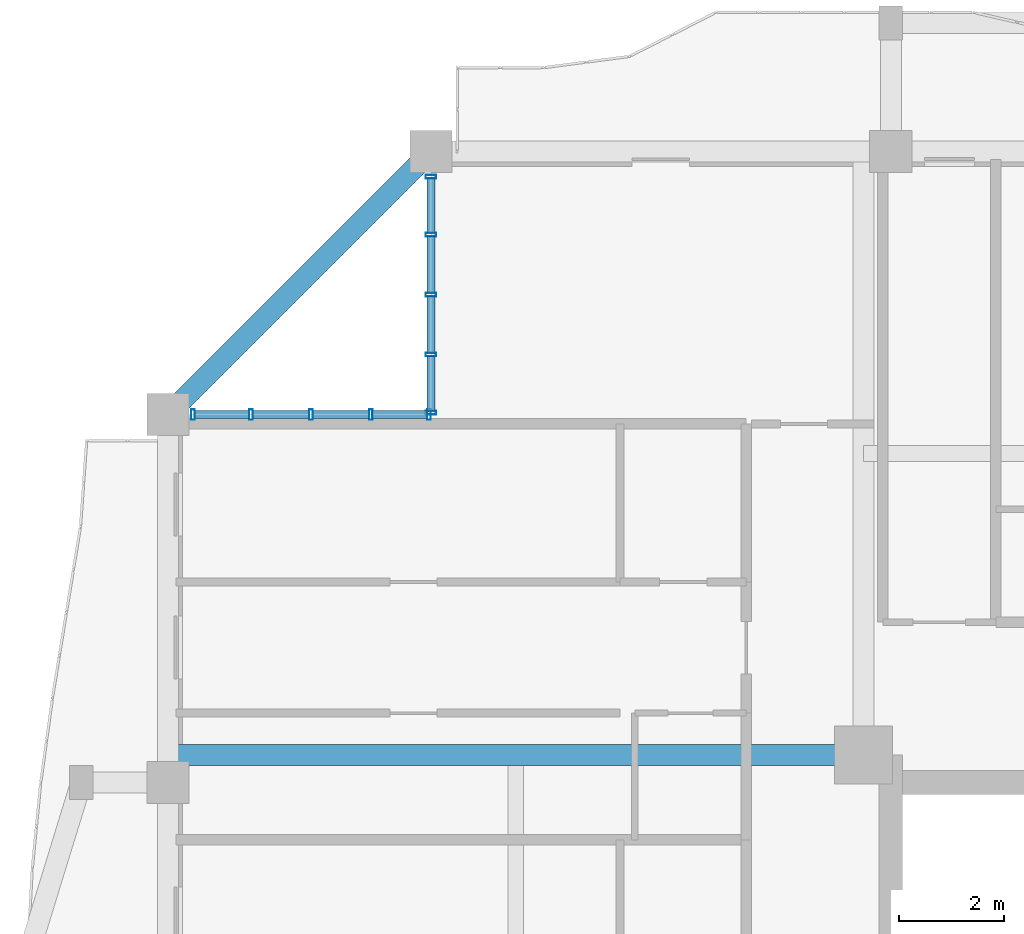
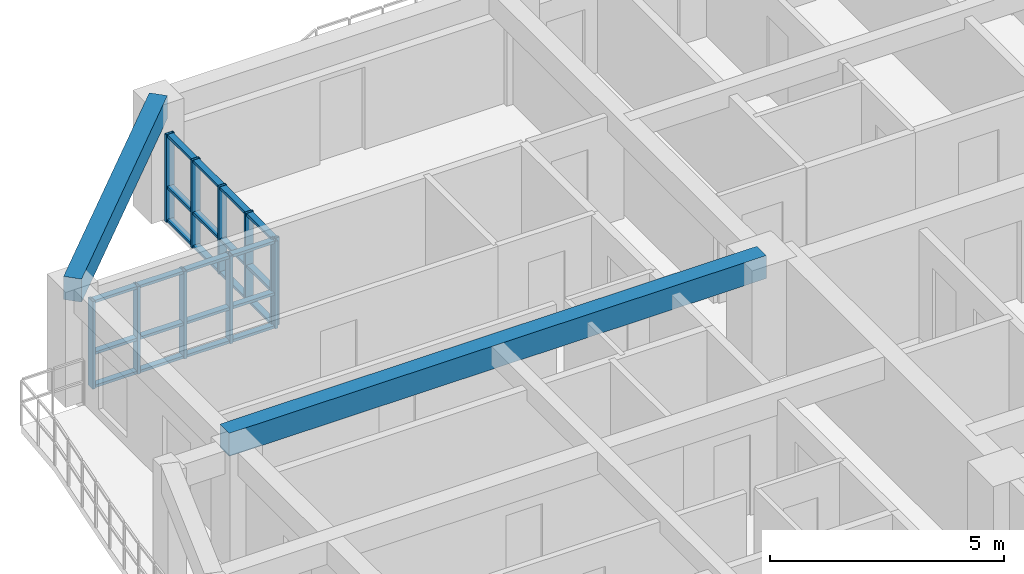
# One storey, part 6 of 21: 34 members, 2 beams, 2 elements without a shape of their own.
"""IFC4 building model written with IfcOpenShell, lengths in metres."""

import ifcopenshell
import ifcopenshell.guid

model = None  # the IFC model being written
_history = None  # IfcOwnerHistory: only IFC2X3 demands one
_inside = {}  # id of a spatial element -> (the spatial element, [elements in it])
_under = {}  # id of a project, library or spatial element -> (it, [spatial elements below it])
_declared = {}  # id of a project -> (the project, [libraries it declares])
_typed = {}  # id of a type object -> (the type object, [elements of that type])
_made_of = {}  # id of a material, layer set ... -> (it, [elements and type objects made of it])


def new_model(schema):
    """Start an empty IFC model of exactly this schema.

    Asked for "IFC4X3", IfcOpenShell would pick the latest addendum, in which some entities
    have other attributes; the version numbers below select the first issue.
    IFC2X3 requires an IfcOwnerHistory on every rooted entity: one is made here for all.
    """
    global model, _history
    if schema == "IFC4X3":
        model = ifcopenshell.file(schema_version=(4, 3, 0, 0))
    else:
        model = ifcopenshell.file(schema=schema)
    _inside.clear()
    _under.clear()
    _declared.clear()
    _typed.clear()
    _made_of.clear()
    _history = None
    if model.schema == "IFC2X3":
        org = make("IfcOrganization", Name="unknown")
        user = make(
            "IfcPersonAndOrganization",
            ThePerson=make("IfcPerson", FamilyName="unknown"),
            TheOrganization=org,
        )
        app = make(
            "IfcApplication",
            ApplicationDeveloper=org,
            Version="unknown",
            ApplicationFullName="unknown",
            ApplicationIdentifier="unknown",
        )
        _history = make(
            "IfcOwnerHistory",
            OwningUser=user,
            OwningApplication=app,
            ChangeAction="ADDED",
            CreationDate=0,
        )
    return model


def make(cls, **values):
    """One entity of the class cls with the attributes given. An attribute that is None is left unset."""
    return model.create_entity(
        cls, **{name: value for name, value in values.items() if value is not None}
    )


def rooted(cls, **values):
    """An entity with a GlobalId (a new one), such as an element, a storey or a relation."""
    return make(cls, GlobalId=ifcopenshell.guid.new(), OwnerHistory=_history, **values)


def si_unit(unit_type, name, prefix=None):
    """IfcSIUnit, for example si_unit("LENGTHUNIT", "METRE", prefix="MILLI")."""
    return make("IfcSIUnit", UnitType=unit_type, Prefix=prefix, Name=name)


def assignment(units):
    """IfcUnitAssignment: the units of a project."""
    return None if units is None else make("IfcUnitAssignment", Units=units)


def point(xyz):
    """IfcCartesianPoint."""
    return None if xyz is None else make("IfcCartesianPoint", Coordinates=xyz)


def direction(xyz):
    """IfcDirection."""
    return None if xyz is None else make("IfcDirection", DirectionRatios=xyz)


def frame(location, z_axis=None, x_axis=None):
    """IfcAxis2Placement3D, a coordinate frame: its origin and axes. An axis left out is left unset."""
    return make(
        "IfcAxis2Placement3D",
        Location=point(location),
        Axis=direction(z_axis),
        RefDirection=direction(x_axis),
    )


def frame_2d(location, x_axis=None):
    """IfcAxis2Placement2D, a coordinate frame in the plane: its origin and x axis."""
    return make(
        "IfcAxis2Placement2D", Location=point(location), RefDirection=direction(x_axis)
    )


def origin():
    """The frame at (0, 0, 0) with its axes left unset."""
    return frame((0.0, 0.0, 0.0))


def origin_2d():
    """The frame at (0, 0) in the plane with its x axis left unset."""
    return frame_2d((0.0, 0.0))


def place(relative_to, where):
    """IfcLocalPlacement: puts the frame where relative to a parent placement (None: the world)."""
    return make(
        "IfcLocalPlacement", PlacementRelTo=relative_to, RelativePlacement=where
    )


def context(
    kind, dimensions, precision=None, world=None, true_north=None, identifier=None
):
    """IfcGeometricRepresentationContext, for example the 3D "Model" context."""
    return make(
        "IfcGeometricRepresentationContext",
        ContextIdentifier=identifier,
        ContextType=kind,
        CoordinateSpaceDimension=dimensions,
        Precision=precision,
        WorldCoordinateSystem=world,
        TrueNorth=true_north,
    )


def subcontext(parent, identifier, kind, view, scale=None):
    """IfcGeometricRepresentationSubContext, for example "Body" below "Model"."""
    return make(
        "IfcGeometricRepresentationSubContext",
        ContextIdentifier=identifier,
        ContextType=kind,
        ParentContext=parent,
        TargetScale=scale,
        TargetView=view,
    )


def project(units=None, contexts=None):
    """IfcProject with its units and contexts."""
    return rooted(
        "IfcProject",
        Name="project",
        RepresentationContexts=contexts,
        UnitsInContext=assignment(units),
    )


def spatial(cls, under=None, at=None, **own):
    """A site, building, storey or space (cls), placed at a placement, below another one or the project."""
    s = rooted(cls, ObjectPlacement=at, **own)
    if under is not None:
        _under.setdefault(under.id(), (under, []))[1].append(s)
    return s


def profile(cls, at=None, kind="AREA", **sizes):
    """A parametric profile (cls). Its sizes go by their IFC names, for example OverallWidth=200.0."""
    return make(cls, ProfileType=kind, Position=at, **sizes)


def rectangle(**sizes):
    """IfcRectangleProfileDef."""
    return profile("IfcRectangleProfileDef", **sizes)


def hollow_rectangle(**sizes):
    """IfcRectangleHollowProfileDef."""
    return profile("IfcRectangleHollowProfileDef", **sizes)


def extrude(swept, where, along, depth):
    """IfcExtrudedAreaSolid: the profile swept, set in the frame where, extruded along a direction by depth."""
    return make(
        "IfcExtrudedAreaSolid",
        SweptArea=swept,
        Position=where,
        ExtrudedDirection=direction(along),
        Depth=depth,
    )


def shape(context_of_items, identifier, shape_type, items):
    """IfcShapeRepresentation: the items that make up one representation, for example the "Body"."""
    return make(
        "IfcShapeRepresentation",
        ContextOfItems=context_of_items,
        RepresentationIdentifier=identifier,
        RepresentationType=shape_type,
        Items=items,
    )


def source(mapping_origin, context_of_items, identifier, shape_type, items):
    """IfcRepresentationMap: a shape defined once, which mapped items show again and again."""
    return make(
        "IfcRepresentationMap",
        MappingOrigin=mapping_origin,
        MappedRepresentation=shape(context_of_items, identifier, shape_type, items),
    )


def transform(
    local_origin,
    x_axis=None,
    y_axis=None,
    z_axis=None,
    scale=None,
    scale2=None,
    scale3=None,
    uniform=True,
):
    """IfcCartesianTransformationOperator3D, or its non-uniform kind. x_axis, y_axis, z_axis: its Axis1, 2, 3."""
    if uniform:
        return make(
            "IfcCartesianTransformationOperator3D",
            Axis1=direction(x_axis),
            Axis2=direction(y_axis),
            LocalOrigin=point(local_origin),
            Scale=scale,
            Axis3=direction(z_axis),
        )
    return make(
        "IfcCartesianTransformationOperator3DnonUniform",
        Axis1=direction(x_axis),
        Axis2=direction(y_axis),
        LocalOrigin=point(local_origin),
        Scale=scale,
        Axis3=direction(z_axis),
        Scale2=scale2,
        Scale3=scale3,
    )


def mapped(mapping_source, mapping_target):
    """IfcMappedItem: shows the shape of a source again, moved by a transform."""
    return make(
        "IfcMappedItem", MappingSource=mapping_source, MappingTarget=mapping_target
    )


def material(Name=None, Category=None):
    """IfcMaterial."""
    return make("IfcMaterial", Name=Name, Category=Category)


def layer(
    of_material, thickness, ventilated=None, Name=None, Category=None, Priority=None
):
    """IfcMaterialLayer: one layer of a wall or slab, of a material (None: an air gap)."""
    return make(
        "IfcMaterialLayer",
        Material=of_material,
        LayerThickness=thickness,
        IsVentilated=ventilated,
        Name=Name,
        Category=Category,
        Priority=Priority,
    )


def layer_set(layers, Name=None):
    """IfcMaterialLayerSet."""
    return make("IfcMaterialLayerSet", MaterialLayers=layers, LayerSetName=Name)


def material_profile(
    of_material, cross_section, Name=None, Category=None, Priority=None
):
    """IfcMaterialProfile: a cross section and its material."""
    return make(
        "IfcMaterialProfile",
        Name=Name,
        Material=of_material,
        Profile=cross_section,
        Priority=Priority,
        Category=Category,
    )


def profile_set(profiles, Name=None, composite=None):
    """IfcMaterialProfileSet."""
    return make(
        "IfcMaterialProfileSet",
        Name=Name,
        MaterialProfiles=profiles,
        CompositeProfile=composite,
    )


def made_of(thing, what):
    """Note that an element or type object is made of a material, layer set ...; save() writes the relation."""
    if what is not None:
        _made_of.setdefault(what.id(), (what, []))[1].append(thing)
    return thing


def type_object(cls, material=None, **own):
    """A type object (cls), such as IfcWallType, which elements share."""
    return made_of(rooted(cls, **own), material)


def element(
    cls,
    number,
    at=None,
    inside=None,
    cuts=None,
    type_object=None,
    material=None,
    context=None,
    identifier="Body",
    shape_type=None,
    held_by="IfcProductDefinitionShape",
    body=None,
    shapes=None,
    **own,
):
    """One element of the class cls, such as IfcWall. Its Tag is "e" and its number.

    at: its placement. inside: the storey or other place that contains it. cuts: it is an
    opening in that element (IfcRelVoidsElement). A single representation is given by context,
    identifier, shape_type and body (its items); several are given by shapes. held_by: the class
    of the entity that holds the representations. save() writes the other relations.
    """
    e = rooted(cls, Tag="e%d" % number, ObjectPlacement=at, **own)
    if body is not None:
        shapes = [shape(context, identifier, shape_type, body)]
    if shapes is not None:
        e.Representation = make(held_by, Representations=shapes)
    if inside is not None:
        _inside.setdefault(inside.id(), (inside, []))[1].append(e)
    if cuts is not None:
        rooted(
            "IfcRelVoidsElement", RelatingBuildingElement=cuts, RelatedOpeningElement=e
        )
    if type_object is not None:
        _typed.setdefault(type_object.id(), (type_object, []))[1].append(e)
    return made_of(e, material)


def aggregate(whole, parts):
    """IfcRelAggregates: a whole, such as a stair, and the parts it consists of."""
    return rooted("IfcRelAggregates", RelatingObject=whole, RelatedObjects=parts)


def save(model, path):
    """Write the relations noted so far, then the file.

    IfcRelAggregates (storeys below a building ...), IfcRelContainedInSpatialStructure (elements
    in a storey), IfcRelDefinesByType, IfcRelAssociatesMaterial and IfcRelDeclares: one each for
    every whole, place, type object, material and project.
    """
    for whole, parts in _under.values():
        aggregate(whole, parts)
    for where, things in _inside.values():
        rooted(
            "IfcRelContainedInSpatialStructure",
            RelatedElements=things,
            RelatingStructure=where,
        )
    for kind, things in _typed.values():
        rooted("IfcRelDefinesByType", RelatedObjects=things, RelatingType=kind)
    for what, things in _made_of.values():
        rooted("IfcRelAssociatesMaterial", RelatedObjects=things, RelatingMaterial=what)
    for by, libraries in _declared.values():
        rooted("IfcRelDeclares", RelatingContext=by, RelatedDefinitions=libraries)
    model.write(path)


model = new_model("IFC4")

# Units and contexts
model_context = context("Model", 3, precision=1e-05, world=origin(), true_north=direction((0.0, 1.0)))
body_context = subcontext(model_context, "Body", "Model", "MODEL_VIEW")
ifc_project = project(units=[si_unit("LENGTHUNIT", "METRE"), si_unit("AREAUNIT", "SQUARE_METRE"), si_unit("VOLUMEUNIT", "CUBIC_METRE"), si_unit("PLANEANGLEUNIT", "RADIAN"), si_unit("MASSUNIT", "GRAM", prefix="KILO")], contexts=[model_context])

# Site, building, storey
site_placement = place(None, origin())
site = spatial("IfcSite", under=ifc_project, at=site_placement, CompositionType="ELEMENT")
building_placement = place(site_placement, origin())
building = spatial("IfcBuilding", under=site, at=building_placement, Name="Saelheon Loggia Tower", CompositionType="ELEMENT")
storey_placement = place(building_placement, frame((0.0, 0.0, 186.699951171875)))
storey = spatial("IfcBuildingStorey", under=building, at=storey_placement, Name="L58", CompositionType="ELEMENT", Elevation=186.699951171875)

# Beams
ifc_material_1 = material(Name="Concrete C40/50", Category="concrete")
ifc_material_profile_1 = material_profile(ifc_material_1, rectangle(XDim=0.39990234375, YDim=0.60009765625, at=origin_2d()), Name="RC-400x600")
ifc_profile_set_1 = profile_set([ifc_material_profile_1], Name="Concrete C40/50")
beam_type_1 = type_object("IfcBeamType", Name="Beam_PerimUpper_RC400x600", PredefinedType="BEAM", material=ifc_profile_set_1)
shared_shape_1 = source(origin(), body_context, "Body", "SweptSolid", [
    extrude(rectangle(XDim=0.39990234375, YDim=0.60009765625, at=origin_2d()), origin(), (0.0, 0.0, 1.0), 7.071044921875),
])
beam_1_placement = place(storey_placement, frame((22.75, 48.0, 2.699951171875), z_axis=(-0.707106781187, -0.707106781187, 0.0), x_axis=(0.707106781187, -0.707106781187, 0.0)))
element("IfcBeam", 1, at=beam_1_placement, inside=storey, type_object=beam_type_1, Name="L58 Perimeter Frame Girder 12", PredefinedType="BEAM", context=body_context, shape_type="MappedRepresentation", body=[
    mapped(shared_shape_1, transform((0.0, 0.0, 0.0), scale=1.0)),
])
ifc_material_profile_2 = material_profile(ifc_material_1, rectangle(XDim=0.39990234375, YDim=0.60009765625, at=origin_2d()), Name="RC-400x600")
ifc_profile_set_2 = profile_set([ifc_material_profile_2], Name="Concrete C40/50")
beam_type_2 = type_object("IfcBeamType", Name="Beam_UpperGirder_RC400x600", PredefinedType="BEAM", material=ifc_profile_set_2)
shared_shape_2 = source(origin(), body_context, "Body", "SweptSolid", [
    extrude(rectangle(XDim=0.39990234375, YDim=0.60009765625, at=origin_2d()), origin(), (0.0, 0.0, 1.0), 13.22998046875),
])
beam_2_placement = place(storey_placement, frame((30.97998046875, 36.52001953125, 2.699951171875), z_axis=(-1.0, 0.0, 0.0), x_axis=(0.0, -1.0, 0.0)))
element("IfcBeam", 2, at=beam_2_placement, inside=storey, type_object=beam_type_2, Name="L58 Radial Floor Girder RAD-NW-W", PredefinedType="BEAM", context=body_context, shape_type="MappedRepresentation", body=[
    mapped(shared_shape_2, transform((0.0, 0.0, 0.0), scale=1.0)),
])

# Curtain wall, members
ifc_material_2 = material(Name="High-Wind Aluminium and Triple Laminated Glass", Category="aluminium")
ifc_layer = layer(ifc_material_2, 0.179931640625)
ifc_layer_set = layer_set([ifc_layer], Name="High-Wind Aluminium and Triple Laminated Glass")
curtain_wall_type = type_object("IfcCurtainWallType", Name="CW_TowerLoggiaHigh", PredefinedType="NOTDEFINED", material=ifc_layer_set)
curtain_wall_1_placement = place(storey_placement, origin())
curtain_wall_1 = element("IfcCurtainWall", 3, at=curtain_wall_1_placement, inside=storey, type_object=curtain_wall_type, Name="L58 Corner Notch Glazing NW1", PredefinedType="NOTDEFINED")
ifc_material_3 = material(Name="Anodised Aluminium 6063-T6", Category="aluminium")
ifc_material_profile_3 = material_profile(ifc_material_3, hollow_rectangle(XDim=0.070068359375, YDim=0.199951171875, WallThickness=0.0048828125, at=origin_2d()), Name="RHS-200x70x5")
ifc_profile_set_3 = profile_set([ifc_material_profile_3], Name="Anodised Aluminium 6063-T6")
member_type_1 = type_object("IfcMemberType", Name="CW_TowerLoggiaHigh_Mullion", PredefinedType="MULLION", material=ifc_profile_set_3)
shared_shape_3 = source(origin(), body_context, "Body", "SweptSolid", [
    extrude(hollow_rectangle(XDim=0.070068359375, YDim=0.199951171875, WallThickness=0.0048828125, at=origin_2d()), origin(), (0.0, 0.0, 1.0), 2.280029296875),
])
member_1_placement = place(storey_placement, frame((22.75, 43.034912109375, 0.0), z_axis=(0.0, 0.0, 1.0), x_axis=(0.0, 1.0, 0.0)))
member_1 = element("IfcMember", 4, at=member_1_placement, type_object=member_type_1, Name="CW4 mullion 1", PredefinedType="MULLION", context=body_context, shape_type="MappedRepresentation", body=[
    mapped(shared_shape_3, transform((0.0, 0.0, 0.0), scale=1.0)),
])
member_2_placement = place(storey_placement, frame((22.75, 44.139892578125, 0.0), z_axis=(0.0, 0.0, 1.0), x_axis=(0.0, 1.0, 0.0)))
member_2 = element("IfcMember", 5, at=member_2_placement, type_object=member_type_1, Name="CW4 mullion 2", PredefinedType="MULLION", context=body_context, shape_type="MappedRepresentation", body=[
    mapped(shared_shape_3, transform((0.0, 0.0, 0.0), scale=1.0)),
])
member_3_placement = place(storey_placement, frame((22.75, 45.280029296875, 0.0), z_axis=(0.0, 0.0, 1.0), x_axis=(0.0, 1.0, 0.0)))
member_3 = element("IfcMember", 6, at=member_3_placement, type_object=member_type_1, Name="CW4 mullion 3", PredefinedType="MULLION", context=body_context, shape_type="MappedRepresentation", body=[
    mapped(shared_shape_3, transform((0.0, 0.0, 0.0), scale=1.0)),
])
member_4_placement = place(storey_placement, frame((22.75, 46.419921875, 0.0), z_axis=(0.0, 0.0, 1.0), x_axis=(0.0, 1.0, 0.0)))
member_4 = element("IfcMember", 7, at=member_4_placement, type_object=member_type_1, Name="CW4 mullion 4", PredefinedType="MULLION", context=body_context, shape_type="MappedRepresentation", body=[
    mapped(shared_shape_3, transform((0.0, 0.0, 0.0), scale=1.0)),
])
member_5_placement = place(storey_placement, frame((22.75, 47.52490234375, 0.0), z_axis=(0.0, 0.0, 1.0), x_axis=(0.0, 1.0, 0.0)))
member_5 = element("IfcMember", 8, at=member_5_placement, type_object=member_type_1, Name="CW4 mullion 5", PredefinedType="MULLION", context=body_context, shape_type="MappedRepresentation", body=[
    mapped(shared_shape_3, transform((0.0, 0.0, 0.0), scale=1.0)),
])

curtain_wall_2_placement = place(storey_placement, origin())
curtain_wall_2 = element("IfcCurtainWall", 9, at=curtain_wall_2_placement, inside=storey, type_object=curtain_wall_type, Name="L58 Corner Notch Glazing NW2", PredefinedType="NOTDEFINED")
member_6_placement = place(storey_placement, frame((18.22509765625, 43.0, 0.0), z_axis=(0.0, 0.0, 1.0), x_axis=(1.0, 0.0, 0.0)))
member_6 = element("IfcMember", 10, at=member_6_placement, type_object=member_type_1, Name="CW4 mullion 1", PredefinedType="MULLION", context=body_context, shape_type="MappedRepresentation", body=[
    mapped(shared_shape_3, transform((0.0, 0.0, 0.0), scale=1.0)),
])
member_7_placement = place(storey_placement, frame((19.330078125, 43.0, 0.0), z_axis=(0.0, 0.0, 1.0), x_axis=(1.0, 0.0, 0.0)))
member_7 = element("IfcMember", 11, at=member_7_placement, type_object=member_type_1, Name="CW4 mullion 2", PredefinedType="MULLION", context=body_context, shape_type="MappedRepresentation", body=[
    mapped(shared_shape_3, transform((0.0, 0.0, 0.0), scale=1.0)),
])
member_8_placement = place(storey_placement, frame((20.469970703125, 43.0, 0.0), z_axis=(0.0, 0.0, 1.0), x_axis=(1.0, 0.0, 0.0)))
member_8 = element("IfcMember", 12, at=member_8_placement, type_object=member_type_1, Name="CW4 mullion 3", PredefinedType="MULLION", context=body_context, shape_type="MappedRepresentation", body=[
    mapped(shared_shape_3, transform((0.0, 0.0, 0.0), scale=1.0)),
])
member_9_placement = place(storey_placement, frame((21.610107421875, 43.0, 0.0), z_axis=(0.0, 0.0, 1.0), x_axis=(1.0, 0.0, 0.0)))
member_9 = element("IfcMember", 13, at=member_9_placement, type_object=member_type_1, Name="CW4 mullion 4", PredefinedType="MULLION", context=body_context, shape_type="MappedRepresentation", body=[
    mapped(shared_shape_3, transform((0.0, 0.0, 0.0), scale=1.0)),
])
member_10_placement = place(storey_placement, frame((22.715087890625, 43.0, 0.0), z_axis=(0.0, 0.0, 1.0), x_axis=(1.0, 0.0, 0.0)))
member_10 = element("IfcMember", 14, at=member_10_placement, type_object=member_type_1, Name="CW4 mullion 5", PredefinedType="MULLION", context=body_context, shape_type="MappedRepresentation", body=[
    mapped(shared_shape_3, transform((0.0, 0.0, 0.0), scale=1.0)),
])

# Member
ifc_material_profile_4 = material_profile(ifc_material_3, hollow_rectangle(XDim=0.070068359375, YDim=0.14990234375, WallThickness=0.0048828125, at=origin_2d()), Name="RHS-150x70x5")
ifc_profile_set_4 = profile_set([ifc_material_profile_4], Name="Anodised Aluminium 6063-T6")
member_type_2 = type_object("IfcMemberType", Name="CW_TowerLoggiaHigh_Transom", PredefinedType="USERDEFINED", material=ifc_profile_set_4)
shared_shape_4 = source(origin(), body_context, "Body", "SweptSolid", [
    extrude(hollow_rectangle(XDim=0.070068359375, YDim=0.14990234375, WallThickness=0.0048828125, at=origin_2d()), origin(), (0.0, 0.0, 1.0), 1.034912109375),
])
member_11_placement = place(storey_placement, frame((22.75, 43.070068359375, 0.03515625), z_axis=(0.0, 1.0, 0.0), x_axis=(0.0, 0.0, 1.0)))
member_11 = element("IfcMember", 15, at=member_11_placement, type_object=member_type_2, Name="CW4 transom 1.1", ObjectType="TRANSOM", PredefinedType="USERDEFINED", context=body_context, shape_type="MappedRepresentation", body=[
    mapped(shared_shape_4, transform((0.0, 0.0, 0.0), scale=1.0)),
])

member_12_placement = place(storey_placement, frame((22.75, 43.070068359375, 0.900146484375), z_axis=(0.0, 1.0, 0.0), x_axis=(0.0, 0.0, 1.0)))
member_12 = element("IfcMember", 16, at=member_12_placement, type_object=member_type_2, Name="CW4 transom 1.2", ObjectType="TRANSOM", PredefinedType="USERDEFINED", context=body_context, shape_type="MappedRepresentation", body=[
    mapped(shared_shape_4, transform((0.0, 0.0, 0.0), scale=1.0)),
])

member_13_placement = place(storey_placement, frame((22.75, 43.070068359375, 2.2451171875), z_axis=(0.0, 1.0, 0.0), x_axis=(0.0, 0.0, 1.0)))
member_13 = element("IfcMember", 17, at=member_13_placement, type_object=member_type_2, Name="CW4 transom 1.3", ObjectType="TRANSOM", PredefinedType="USERDEFINED", context=body_context, shape_type="MappedRepresentation", body=[
    mapped(shared_shape_4, transform((0.0, 0.0, 0.0), scale=1.0)),
])

member_14_placement = place(storey_placement, frame((22.75, 46.455078125, 0.03515625), z_axis=(0.0, 1.0, 0.0), x_axis=(0.0, 0.0, 1.0)))
member_14 = element("IfcMember", 18, at=member_14_placement, type_object=member_type_2, Name="CW4 transom 4.1", ObjectType="TRANSOM", PredefinedType="USERDEFINED", context=body_context, shape_type="MappedRepresentation", body=[
    mapped(shared_shape_4, transform((0.0, 0.0, 0.0), scale=1.0)),
])

member_15_placement = place(storey_placement, frame((22.75, 46.455078125, 0.900146484375), z_axis=(0.0, 1.0, 0.0), x_axis=(0.0, 0.0, 1.0)))
member_15 = element("IfcMember", 19, at=member_15_placement, type_object=member_type_2, Name="CW4 transom 4.2", ObjectType="TRANSOM", PredefinedType="USERDEFINED", context=body_context, shape_type="MappedRepresentation", body=[
    mapped(shared_shape_4, transform((0.0, 0.0, 0.0), scale=1.0)),
])

member_16_placement = place(storey_placement, frame((22.75, 46.455078125, 2.2451171875), z_axis=(0.0, 1.0, 0.0), x_axis=(0.0, 0.0, 1.0)))
member_16 = element("IfcMember", 20, at=member_16_placement, type_object=member_type_2, Name="CW4 transom 4.3", ObjectType="TRANSOM", PredefinedType="USERDEFINED", context=body_context, shape_type="MappedRepresentation", body=[
    mapped(shared_shape_4, transform((0.0, 0.0, 0.0), scale=1.0)),
])

member_17_placement = place(storey_placement, frame((18.260009765625, 43.0, 0.03515625), z_axis=(1.0, 0.0, 0.0), x_axis=(0.0, 0.0, 1.0)))
member_17 = element("IfcMember", 21, at=member_17_placement, type_object=member_type_2, Name="CW4 transom 1.1", ObjectType="TRANSOM", PredefinedType="USERDEFINED", context=body_context, shape_type="MappedRepresentation", body=[
    mapped(shared_shape_4, transform((0.0, 0.0, 0.0), scale=1.0)),
])

member_18_placement = place(storey_placement, frame((18.260009765625, 43.0, 0.900146484375), z_axis=(1.0, 0.0, 0.0), x_axis=(0.0, 0.0, 1.0)))
member_18 = element("IfcMember", 22, at=member_18_placement, type_object=member_type_2, Name="CW4 transom 1.2", ObjectType="TRANSOM", PredefinedType="USERDEFINED", context=body_context, shape_type="MappedRepresentation", body=[
    mapped(shared_shape_4, transform((0.0, 0.0, 0.0), scale=1.0)),
])

member_19_placement = place(storey_placement, frame((18.260009765625, 43.0, 2.2451171875), z_axis=(1.0, 0.0, 0.0), x_axis=(0.0, 0.0, 1.0)))
member_19 = element("IfcMember", 23, at=member_19_placement, type_object=member_type_2, Name="CW4 transom 1.3", ObjectType="TRANSOM", PredefinedType="USERDEFINED", context=body_context, shape_type="MappedRepresentation", body=[
    mapped(shared_shape_4, transform((0.0, 0.0, 0.0), scale=1.0)),
])

member_20_placement = place(storey_placement, frame((21.64501953125, 43.0, 0.03515625), z_axis=(1.0, 0.0, 0.0), x_axis=(0.0, 0.0, 1.0)))
member_20 = element("IfcMember", 24, at=member_20_placement, type_object=member_type_2, Name="CW4 transom 4.1", ObjectType="TRANSOM", PredefinedType="USERDEFINED", context=body_context, shape_type="MappedRepresentation", body=[
    mapped(shared_shape_4, transform((0.0, 0.0, 0.0), scale=1.0)),
])

member_21_placement = place(storey_placement, frame((21.64501953125, 43.0, 0.900146484375), z_axis=(1.0, 0.0, 0.0), x_axis=(0.0, 0.0, 1.0)))
member_21 = element("IfcMember", 25, at=member_21_placement, type_object=member_type_2, Name="CW4 transom 4.2", ObjectType="TRANSOM", PredefinedType="USERDEFINED", context=body_context, shape_type="MappedRepresentation", body=[
    mapped(shared_shape_4, transform((0.0, 0.0, 0.0), scale=1.0)),
])

member_22_placement = place(storey_placement, frame((21.64501953125, 43.0, 2.2451171875), z_axis=(1.0, 0.0, 0.0), x_axis=(0.0, 0.0, 1.0)))
member_22 = element("IfcMember", 26, at=member_22_placement, type_object=member_type_2, Name="CW4 transom 4.3", ObjectType="TRANSOM", PredefinedType="USERDEFINED", context=body_context, shape_type="MappedRepresentation", body=[
    mapped(shared_shape_4, transform((0.0, 0.0, 0.0), scale=1.0)),
])

shared_shape_5 = source(origin(), body_context, "Body", "SweptSolid", [
    extrude(hollow_rectangle(XDim=0.070068359375, YDim=0.14990234375, WallThickness=0.0048828125, at=origin_2d()), origin(), (0.0, 0.0, 1.0), 1.070068359375),
])
member_23_placement = place(storey_placement, frame((22.75, 44.175048828125, 0.03515625), z_axis=(0.0, 1.0, 0.0), x_axis=(0.0, 0.0, 1.0)))
member_23 = element("IfcMember", 27, at=member_23_placement, type_object=member_type_2, Name="CW4 transom 2.1", ObjectType="TRANSOM", PredefinedType="USERDEFINED", context=body_context, shape_type="MappedRepresentation", body=[
    mapped(shared_shape_5, transform((0.0, 0.0, 0.0), scale=1.0)),
])

member_24_placement = place(storey_placement, frame((22.75, 44.175048828125, 0.900146484375), z_axis=(0.0, 1.0, 0.0), x_axis=(0.0, 0.0, 1.0)))
member_24 = element("IfcMember", 28, at=member_24_placement, type_object=member_type_2, Name="CW4 transom 2.2", ObjectType="TRANSOM", PredefinedType="USERDEFINED", context=body_context, shape_type="MappedRepresentation", body=[
    mapped(shared_shape_5, transform((0.0, 0.0, 0.0), scale=1.0)),
])

member_25_placement = place(storey_placement, frame((22.75, 44.175048828125, 2.2451171875), z_axis=(0.0, 1.0, 0.0), x_axis=(0.0, 0.0, 1.0)))
member_25 = element("IfcMember", 29, at=member_25_placement, type_object=member_type_2, Name="CW4 transom 2.3", ObjectType="TRANSOM", PredefinedType="USERDEFINED", context=body_context, shape_type="MappedRepresentation", body=[
    mapped(shared_shape_5, transform((0.0, 0.0, 0.0), scale=1.0)),
])

member_26_placement = place(storey_placement, frame((22.75, 45.31494140625, 0.03515625), z_axis=(0.0, 1.0, 0.0), x_axis=(0.0, 0.0, 1.0)))
member_26 = element("IfcMember", 30, at=member_26_placement, type_object=member_type_2, Name="CW4 transom 3.1", ObjectType="TRANSOM", PredefinedType="USERDEFINED", context=body_context, shape_type="MappedRepresentation", body=[
    mapped(shared_shape_5, transform((0.0, 0.0, 0.0), scale=1.0)),
])

member_27_placement = place(storey_placement, frame((22.75, 45.31494140625, 0.900146484375), z_axis=(0.0, 1.0, 0.0), x_axis=(0.0, 0.0, 1.0)))
member_27 = element("IfcMember", 31, at=member_27_placement, type_object=member_type_2, Name="CW4 transom 3.2", ObjectType="TRANSOM", PredefinedType="USERDEFINED", context=body_context, shape_type="MappedRepresentation", body=[
    mapped(shared_shape_5, transform((0.0, 0.0, 0.0), scale=1.0)),
])

member_28_placement = place(storey_placement, frame((22.75, 45.31494140625, 2.2451171875), z_axis=(0.0, 1.0, 0.0), x_axis=(0.0, 0.0, 1.0)))
member_28 = element("IfcMember", 32, at=member_28_placement, type_object=member_type_2, Name="CW4 transom 3.3", ObjectType="TRANSOM", PredefinedType="USERDEFINED", context=body_context, shape_type="MappedRepresentation", body=[
    mapped(shared_shape_5, transform((0.0, 0.0, 0.0), scale=1.0)),
])

aggregate(curtain_wall_1, [member_1, member_2, member_3, member_4, member_5, member_11, member_12, member_13, member_23, member_24, member_25, member_26, member_27, member_28, member_14, member_15, member_16])

member_29_placement = place(storey_placement, frame((19.364990234375, 43.0, 0.03515625), z_axis=(1.0, 0.0, 0.0), x_axis=(0.0, 0.0, 1.0)))
member_29 = element("IfcMember", 33, at=member_29_placement, type_object=member_type_2, Name="CW4 transom 2.1", ObjectType="TRANSOM", PredefinedType="USERDEFINED", context=body_context, shape_type="MappedRepresentation", body=[
    mapped(shared_shape_5, transform((0.0, 0.0, 0.0), scale=1.0)),
])

member_30_placement = place(storey_placement, frame((19.364990234375, 43.0, 0.900146484375), z_axis=(1.0, 0.0, 0.0), x_axis=(0.0, 0.0, 1.0)))
member_30 = element("IfcMember", 34, at=member_30_placement, type_object=member_type_2, Name="CW4 transom 2.2", ObjectType="TRANSOM", PredefinedType="USERDEFINED", context=body_context, shape_type="MappedRepresentation", body=[
    mapped(shared_shape_5, transform((0.0, 0.0, 0.0), scale=1.0)),
])

member_31_placement = place(storey_placement, frame((19.364990234375, 43.0, 2.2451171875), z_axis=(1.0, 0.0, 0.0), x_axis=(0.0, 0.0, 1.0)))
member_31 = element("IfcMember", 35, at=member_31_placement, type_object=member_type_2, Name="CW4 transom 2.3", ObjectType="TRANSOM", PredefinedType="USERDEFINED", context=body_context, shape_type="MappedRepresentation", body=[
    mapped(shared_shape_5, transform((0.0, 0.0, 0.0), scale=1.0)),
])

member_32_placement = place(storey_placement, frame((20.5048828125, 43.0, 0.03515625), z_axis=(1.0, 0.0, 0.0), x_axis=(0.0, 0.0, 1.0)))
member_32 = element("IfcMember", 36, at=member_32_placement, type_object=member_type_2, Name="CW4 transom 3.1", ObjectType="TRANSOM", PredefinedType="USERDEFINED", context=body_context, shape_type="MappedRepresentation", body=[
    mapped(shared_shape_5, transform((0.0, 0.0, 0.0), scale=1.0)),
])

member_33_placement = place(storey_placement, frame((20.5048828125, 43.0, 0.900146484375), z_axis=(1.0, 0.0, 0.0), x_axis=(0.0, 0.0, 1.0)))
member_33 = element("IfcMember", 37, at=member_33_placement, type_object=member_type_2, Name="CW4 transom 3.2", ObjectType="TRANSOM", PredefinedType="USERDEFINED", context=body_context, shape_type="MappedRepresentation", body=[
    mapped(shared_shape_5, transform((0.0, 0.0, 0.0), scale=1.0)),
])

member_34_placement = place(storey_placement, frame((20.5048828125, 43.0, 2.2451171875), z_axis=(1.0, 0.0, 0.0), x_axis=(0.0, 0.0, 1.0)))
member_34 = element("IfcMember", 38, at=member_34_placement, type_object=member_type_2, Name="CW4 transom 3.3", ObjectType="TRANSOM", PredefinedType="USERDEFINED", context=body_context, shape_type="MappedRepresentation", body=[
    mapped(shared_shape_5, transform((0.0, 0.0, 0.0), scale=1.0)),
])

aggregate(curtain_wall_2, [member_6, member_7, member_8, member_9, member_10, member_17, member_18, member_19, member_29, member_30, member_31, member_32, member_33, member_34, member_20, member_21, member_22])

save(model, "model.ifc")
